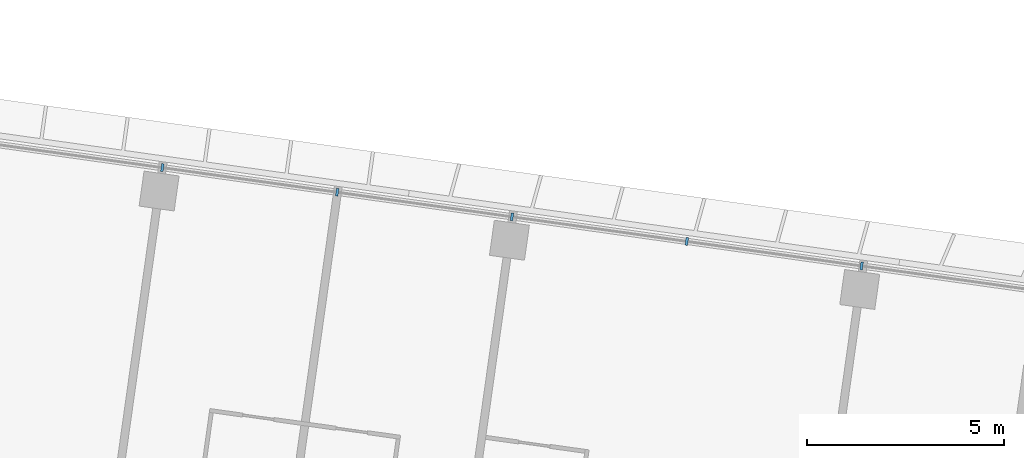
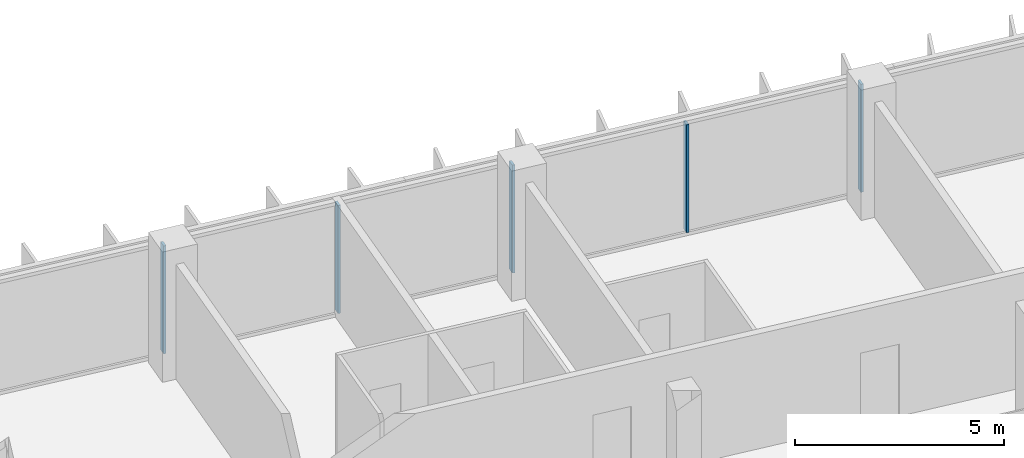
# One storey, part 5 of 26: 5 members, 1 element without a shape of its own.
"""IFC4 building model written with IfcOpenShell, lengths in metres."""

import ifcopenshell
import ifcopenshell.guid

model = None  # the IFC model being written
_history = None  # IfcOwnerHistory: only IFC2X3 demands one
_inside = {}  # id of a spatial element -> (the spatial element, [elements in it])
_under = {}  # id of a project, library or spatial element -> (it, [spatial elements below it])
_declared = {}  # id of a project -> (the project, [libraries it declares])
_typed = {}  # id of a type object -> (the type object, [elements of that type])
_made_of = {}  # id of a material, layer set ... -> (it, [elements and type objects made of it])


def new_model(schema):
    """Start an empty IFC model of exactly this schema.

    Asked for "IFC4X3", IfcOpenShell would pick the latest addendum, in which some entities
    have other attributes; the version numbers below select the first issue.
    IFC2X3 requires an IfcOwnerHistory on every rooted entity: one is made here for all.
    """
    global model, _history
    if schema == "IFC4X3":
        model = ifcopenshell.file(schema_version=(4, 3, 0, 0))
    else:
        model = ifcopenshell.file(schema=schema)
    _inside.clear()
    _under.clear()
    _declared.clear()
    _typed.clear()
    _made_of.clear()
    _history = None
    if model.schema == "IFC2X3":
        org = make("IfcOrganization", Name="unknown")
        user = make(
            "IfcPersonAndOrganization",
            ThePerson=make("IfcPerson", FamilyName="unknown"),
            TheOrganization=org,
        )
        app = make(
            "IfcApplication",
            ApplicationDeveloper=org,
            Version="unknown",
            ApplicationFullName="unknown",
            ApplicationIdentifier="unknown",
        )
        _history = make(
            "IfcOwnerHistory",
            OwningUser=user,
            OwningApplication=app,
            ChangeAction="ADDED",
            CreationDate=0,
        )
    return model


def make(cls, **values):
    """One entity of the class cls with the attributes given. An attribute that is None is left unset."""
    return model.create_entity(
        cls, **{name: value for name, value in values.items() if value is not None}
    )


def rooted(cls, **values):
    """An entity with a GlobalId (a new one), such as an element, a storey or a relation."""
    return make(cls, GlobalId=ifcopenshell.guid.new(), OwnerHistory=_history, **values)


def si_unit(unit_type, name, prefix=None):
    """IfcSIUnit, for example si_unit("LENGTHUNIT", "METRE", prefix="MILLI")."""
    return make("IfcSIUnit", UnitType=unit_type, Prefix=prefix, Name=name)


def assignment(units):
    """IfcUnitAssignment: the units of a project."""
    return None if units is None else make("IfcUnitAssignment", Units=units)


def point(xyz):
    """IfcCartesianPoint."""
    return None if xyz is None else make("IfcCartesianPoint", Coordinates=xyz)


def direction(xyz):
    """IfcDirection."""
    return None if xyz is None else make("IfcDirection", DirectionRatios=xyz)


def frame(location, z_axis=None, x_axis=None):
    """IfcAxis2Placement3D, a coordinate frame: its origin and axes. An axis left out is left unset."""
    return make(
        "IfcAxis2Placement3D",
        Location=point(location),
        Axis=direction(z_axis),
        RefDirection=direction(x_axis),
    )


def frame_2d(location, x_axis=None):
    """IfcAxis2Placement2D, a coordinate frame in the plane: its origin and x axis."""
    return make(
        "IfcAxis2Placement2D", Location=point(location), RefDirection=direction(x_axis)
    )


def origin():
    """The frame at (0, 0, 0) with its axes left unset."""
    return frame((0.0, 0.0, 0.0))


def origin_2d():
    """The frame at (0, 0) in the plane with its x axis left unset."""
    return frame_2d((0.0, 0.0))


def place(relative_to, where):
    """IfcLocalPlacement: puts the frame where relative to a parent placement (None: the world)."""
    return make(
        "IfcLocalPlacement", PlacementRelTo=relative_to, RelativePlacement=where
    )


def context(
    kind, dimensions, precision=None, world=None, true_north=None, identifier=None
):
    """IfcGeometricRepresentationContext, for example the 3D "Model" context."""
    return make(
        "IfcGeometricRepresentationContext",
        ContextIdentifier=identifier,
        ContextType=kind,
        CoordinateSpaceDimension=dimensions,
        Precision=precision,
        WorldCoordinateSystem=world,
        TrueNorth=true_north,
    )


def subcontext(parent, identifier, kind, view, scale=None):
    """IfcGeometricRepresentationSubContext, for example "Body" below "Model"."""
    return make(
        "IfcGeometricRepresentationSubContext",
        ContextIdentifier=identifier,
        ContextType=kind,
        ParentContext=parent,
        TargetScale=scale,
        TargetView=view,
    )


def project(units=None, contexts=None):
    """IfcProject with its units and contexts."""
    return rooted(
        "IfcProject",
        Name="project",
        RepresentationContexts=contexts,
        UnitsInContext=assignment(units),
    )


def spatial(cls, under=None, at=None, **own):
    """A site, building, storey or space (cls), placed at a placement, below another one or the project."""
    s = rooted(cls, ObjectPlacement=at, **own)
    if under is not None:
        _under.setdefault(under.id(), (under, []))[1].append(s)
    return s


def profile(cls, at=None, kind="AREA", **sizes):
    """A parametric profile (cls). Its sizes go by their IFC names, for example OverallWidth=200.0."""
    return make(cls, ProfileType=kind, Position=at, **sizes)


def rectangle(**sizes):
    """IfcRectangleProfileDef."""
    return profile("IfcRectangleProfileDef", **sizes)


def extrude(swept, where, along, depth):
    """IfcExtrudedAreaSolid: the profile swept, set in the frame where, extruded along a direction by depth."""
    return make(
        "IfcExtrudedAreaSolid",
        SweptArea=swept,
        Position=where,
        ExtrudedDirection=direction(along),
        Depth=depth,
    )


def shape(context_of_items, identifier, shape_type, items):
    """IfcShapeRepresentation: the items that make up one representation, for example the "Body"."""
    return make(
        "IfcShapeRepresentation",
        ContextOfItems=context_of_items,
        RepresentationIdentifier=identifier,
        RepresentationType=shape_type,
        Items=items,
    )


def material(Name=None, Category=None):
    """IfcMaterial."""
    return make("IfcMaterial", Name=Name, Category=Category)


def material_profile(
    of_material, cross_section, Name=None, Category=None, Priority=None
):
    """IfcMaterialProfile: a cross section and its material."""
    return make(
        "IfcMaterialProfile",
        Name=Name,
        Material=of_material,
        Profile=cross_section,
        Priority=Priority,
        Category=Category,
    )


def profile_set(profiles, Name=None, composite=None):
    """IfcMaterialProfileSet."""
    return make(
        "IfcMaterialProfileSet",
        Name=Name,
        MaterialProfiles=profiles,
        CompositeProfile=composite,
    )


def made_of(thing, what):
    """Note that an element or type object is made of a material, layer set ...; save() writes the relation."""
    if what is not None:
        _made_of.setdefault(what.id(), (what, []))[1].append(thing)
    return thing


def type_object(cls, material=None, **own):
    """A type object (cls), such as IfcWallType, which elements share."""
    return made_of(rooted(cls, **own), material)


def element(
    cls,
    number,
    at=None,
    inside=None,
    cuts=None,
    type_object=None,
    material=None,
    context=None,
    identifier="Body",
    shape_type=None,
    held_by="IfcProductDefinitionShape",
    body=None,
    shapes=None,
    **own,
):
    """One element of the class cls, such as IfcWall. Its Tag is "e" and its number.

    at: its placement. inside: the storey or other place that contains it. cuts: it is an
    opening in that element (IfcRelVoidsElement). A single representation is given by context,
    identifier, shape_type and body (its items); several are given by shapes. held_by: the class
    of the entity that holds the representations. save() writes the other relations.
    """
    e = rooted(cls, Tag="e%d" % number, ObjectPlacement=at, **own)
    if body is not None:
        shapes = [shape(context, identifier, shape_type, body)]
    if shapes is not None:
        e.Representation = make(held_by, Representations=shapes)
    if inside is not None:
        _inside.setdefault(inside.id(), (inside, []))[1].append(e)
    if cuts is not None:
        rooted(
            "IfcRelVoidsElement", RelatingBuildingElement=cuts, RelatedOpeningElement=e
        )
    if type_object is not None:
        _typed.setdefault(type_object.id(), (type_object, []))[1].append(e)
    return made_of(e, material)


def aggregate(whole, parts):
    """IfcRelAggregates: a whole, such as a stair, and the parts it consists of."""
    return rooted("IfcRelAggregates", RelatingObject=whole, RelatedObjects=parts)


def save(model, path):
    """Write the relations noted so far, then the file.

    IfcRelAggregates (storeys below a building ...), IfcRelContainedInSpatialStructure (elements
    in a storey), IfcRelDefinesByType, IfcRelAssociatesMaterial and IfcRelDeclares: one each for
    every whole, place, type object, material and project.
    """
    for whole, parts in _under.values():
        aggregate(whole, parts)
    for where, things in _inside.values():
        rooted(
            "IfcRelContainedInSpatialStructure",
            RelatedElements=things,
            RelatingStructure=where,
        )
    for kind, things in _typed.values():
        rooted("IfcRelDefinesByType", RelatedObjects=things, RelatingType=kind)
    for what, things in _made_of.values():
        rooted("IfcRelAssociatesMaterial", RelatedObjects=things, RelatingMaterial=what)
    for by, libraries in _declared.values():
        rooted("IfcRelDeclares", RelatingContext=by, RelatedDefinitions=libraries)
    model.write(path)


model = new_model("IFC4")

# Units and contexts
model_context = context("Model", 3, precision=1e-05, world=origin(), true_north=direction((0.0, 1.0)))
body_context = subcontext(model_context, "Body", "Model", "MODEL_VIEW")
ifc_project = project(units=[si_unit("LENGTHUNIT", "METRE"), si_unit("AREAUNIT", "SQUARE_METRE"), si_unit("VOLUMEUNIT", "CUBIC_METRE"), si_unit("PLANEANGLEUNIT", "RADIAN"), si_unit("MASSUNIT", "GRAM", prefix="KILO")], contexts=[model_context])

# Site, building, storey
site_placement = place(None, origin())
site = spatial("IfcSite", under=ifc_project, at=site_placement, CompositionType="ELEMENT")
building_placement = place(site_placement, origin())
building = spatial("IfcBuilding", under=site, at=building_placement, Name="Mirante Cascada Hotel Towers", CompositionType="ELEMENT")
storey_placement = place(building_placement, frame((0.0, 0.0, 113.9)))
storey = spatial("IfcBuildingStorey", under=building, at=storey_placement, Name="L25", CompositionType="ELEMENT", Elevation=113.9)

# Curtain wall, members
ifc_material_1 = material(Name="Aluminium mullion and transom frame with clear laminated glass", Category="aluminium")
curtain_wall_type = type_object("IfcCurtainWallType", Name="Ribbon curtain wall ECW1", PredefinedType="NOTDEFINED", material=ifc_material_1)
curtain_wall_placement = place(storey_placement, origin())
curtain_wall = element("IfcCurtainWall", 1, at=curtain_wall_placement, inside=storey, type_object=curtain_wall_type, Name="Front ribbon wall T1 L25", PredefinedType="NOTDEFINED")
ifc_material_2 = material(Name="Anodised aluminium extrusion", Category="aluminium")
ifc_material_profile = material_profile(ifc_material_2, rectangle(XDim=0.2, YDim=0.065, at=origin_2d()), Name="ECW1 MULLION 65x200")
ifc_profile_set = profile_set([ifc_material_profile], Name="Anodised aluminium extrusion")
member_type = type_object("IfcMemberType", Name="ECW1 mullion 65x200", PredefinedType="MULLION", material=ifc_profile_set)
member_1_placement = place(storey_placement, frame((-63.0262, 21.6768, 0.1), z_axis=(0.0, 0.0, 1.0), x_axis=(0.1391731, 0.9902681, 0.0)))
member_1 = element("IfcMember", 2, at=member_1_placement, type_object=member_type, Name="ECW1 mullion 8", PredefinedType="MULLION", context=body_context, shape_type="SweptSolid", body=[
    extrude(rectangle(XDim=0.2, YDim=0.065, at=origin_2d()), origin(), (0.0, 0.0, 1.0), 3.15),
])
member_2_placement = place(storey_placement, frame((-58.5788, 21.0517, 0.1), z_axis=(0.0, 0.0, 1.0), x_axis=(0.1391731, 0.9902681, 0.0)))
member_2 = element("IfcMember", 3, at=member_2_placement, type_object=member_type, Name="ECW1 mullion 9", PredefinedType="MULLION", context=body_context, shape_type="SweptSolid", body=[
    extrude(rectangle(XDim=0.2, YDim=0.065, at=origin_2d()), origin(), (0.0, 0.0, 1.0), 3.15),
])
member_3_placement = place(storey_placement, frame((-54.1314, 20.4267, 0.1), z_axis=(0.0, 0.0, 1.0), x_axis=(0.1391731, 0.9902681, 0.0)))
member_3 = element("IfcMember", 4, at=member_3_placement, type_object=member_type, Name="ECW1 mullion 10", PredefinedType="MULLION", context=body_context, shape_type="SweptSolid", body=[
    extrude(rectangle(XDim=0.2, YDim=0.065, at=origin_2d()), origin(), (0.0, 0.0, 1.0), 3.15),
])
member_4_placement = place(storey_placement, frame((-49.684, 19.8017, 0.1), z_axis=(0.0, 0.0, 1.0), x_axis=(0.1391731, 0.9902681, 0.0)))
member_4 = element("IfcMember", 5, at=member_4_placement, type_object=member_type, Name="ECW1 mullion 11", PredefinedType="MULLION", context=body_context, shape_type="SweptSolid", body=[
    extrude(rectangle(XDim=0.2, YDim=0.065, at=origin_2d()), origin(), (0.0, 0.0, 1.0), 3.15),
])
member_5_placement = place(storey_placement, frame((-45.2366, 19.1766, 0.1), z_axis=(0.0, 0.0, 1.0), x_axis=(0.1391731, 0.9902681, 0.0)))
member_5 = element("IfcMember", 6, at=member_5_placement, type_object=member_type, Name="ECW1 mullion 12", PredefinedType="MULLION", context=body_context, shape_type="SweptSolid", body=[
    extrude(rectangle(XDim=0.2, YDim=0.065, at=origin_2d()), origin(), (0.0, 0.0, 1.0), 3.15),
])
aggregate(curtain_wall, [member_1, member_2, member_3, member_4, member_5])

save(model, "model.ifc")
